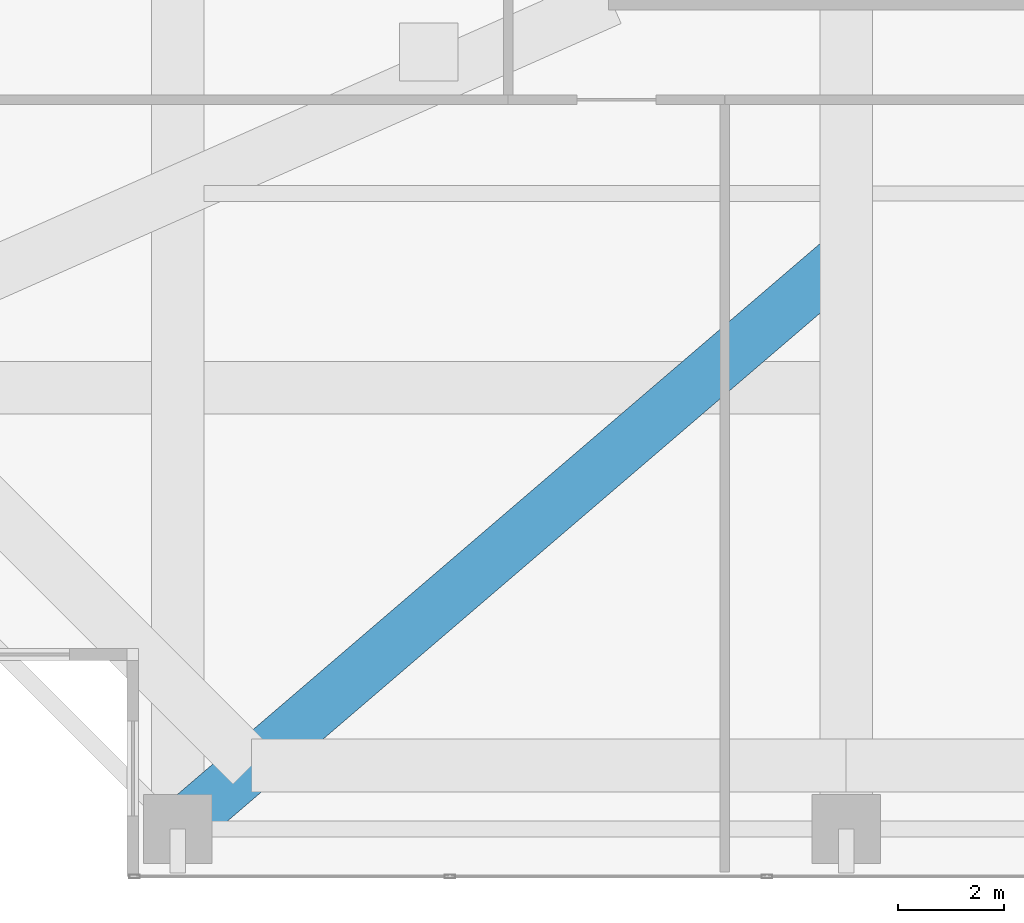
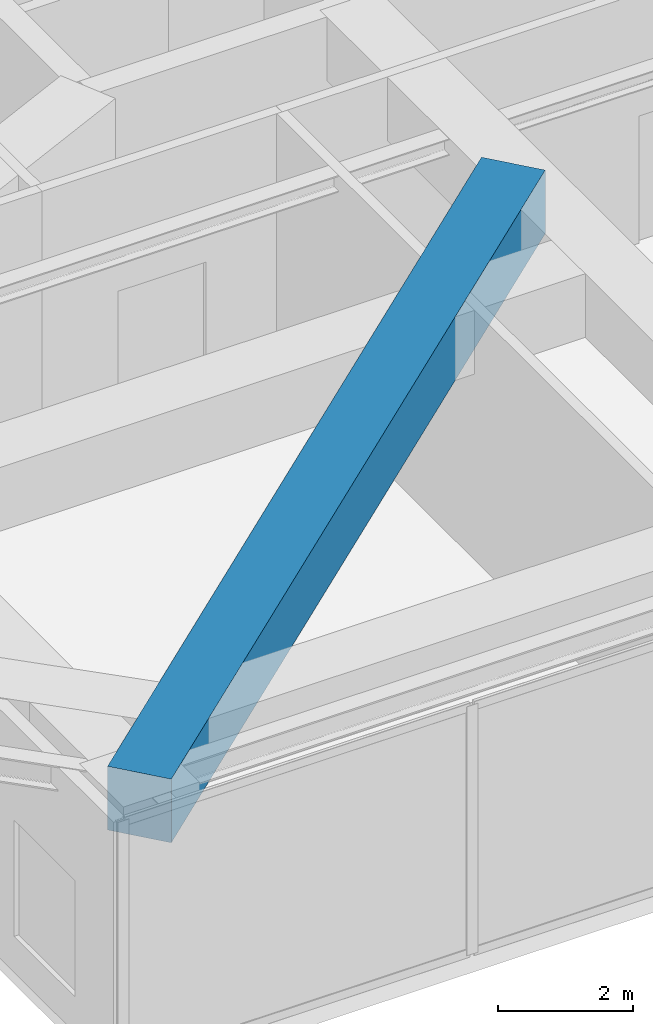
# One storey, part 3 of 35: 1 beam.
"""IFC4 building model written with IfcOpenShell, lengths in metres."""

from ifc_helpers import new_model, si_unit, direction, frame, origin, origin_2d, place, context, subcontext, project, spatial, rectangle, extrude, source, transform, mapped, material, material_profile, profile_set, type_object, element, save


model = new_model("IFC4")

# Units and contexts
model_context = context("Model", 3, precision=1e-05, world=origin(), true_north=direction((0.0, 1.0)))
body_context = subcontext(model_context, "Body", "Model", "MODEL_VIEW")
ifc_project = project(units=[si_unit("LENGTHUNIT", "METRE"), si_unit("AREAUNIT", "SQUARE_METRE"), si_unit("VOLUMEUNIT", "CUBIC_METRE"), si_unit("PLANEANGLEUNIT", "RADIAN"), si_unit("MASSUNIT", "GRAM", prefix="KILO")], contexts=[model_context])

# Site, building, storey
site_placement = place(None, origin())
site = spatial("IfcSite", under=ifc_project, at=site_placement, CompositionType="ELEMENT")
building_placement = place(site_placement, origin())
building = spatial("IfcBuilding", under=site, at=building_placement, Name="Serunith Strait Residences", CompositionType="ELEMENT")
storey_placement = place(building_placement, frame((0.0, 0.0, 115.199951171875)))
storey = spatial("IfcBuildingStorey", under=building, at=storey_placement, Name="L28", CompositionType="ELEMENT", Elevation=115.199951171875)

# Beam
ifc_material = material(Name="Concrete C80/95", Category="concrete")
ifc_material_profile = material_profile(ifc_material, rectangle(XDim=1.0, YDim=1.14990234375, at=origin_2d()), Name="RC 1000x1150")
ifc_profile_set = profile_set([ifc_material_profile], Name="Concrete C80/95")
beam_type = type_object("IfcBeamType", Name="BM-XFER-1000x1150", PredefinedType="BEAM", material=ifc_profile_set)
shared_shape = source(origin(), body_context, "Body", "SweptSolid", [
    extrude(rectangle(XDim=1.0, YDim=1.14990234375, at=origin_2d()), origin(), (0.0, 0.0, 1.0), 16.660888671875),
])
beam_placement = place(storey_placement, frame((15.25, 1.10009765625, 3.93505859375), z_axis=(0.759256602365, 0.650791373456, 0.0), x_axis=(-0.650791373456, 0.759256602365, 0.0)))
element("IfcBeam", 1, at=beam_placement, inside=storey, type_object=beam_type, Name="L28 Diagonal Corner Transfer Girder TC-S1", PredefinedType="BEAM", context=body_context, shape_type="MappedRepresentation", body=[
    mapped(shared_shape, transform((0.0, 0.0, 0.0), scale=1.0)),
])

save(model, "model.ifc")
